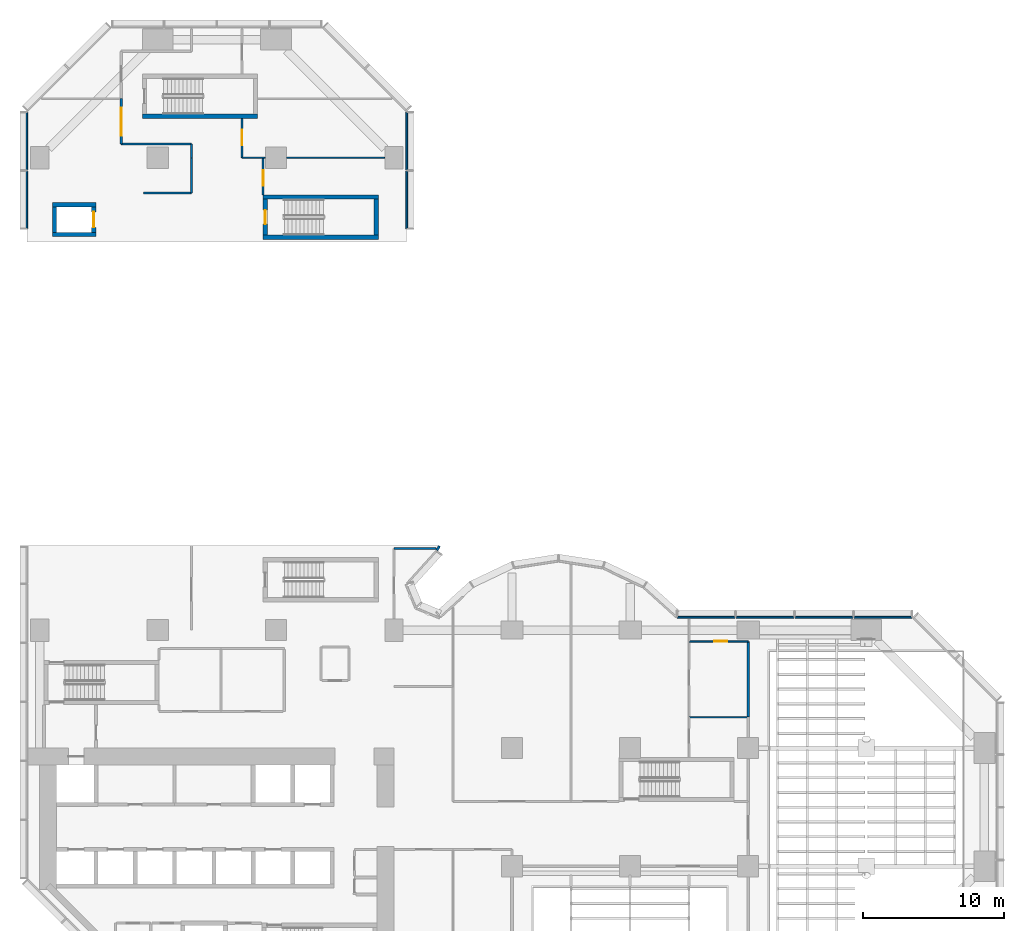
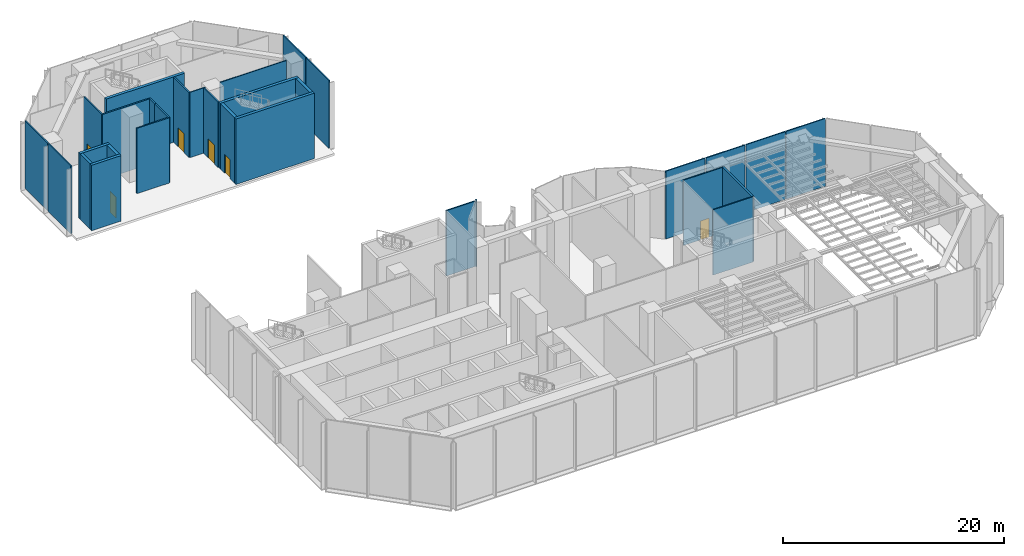
# One storey, part 15 of 22: 31 walls, 6 doors, 6 openings.
"""IFC4 building model written with IfcOpenShell, lengths in metres."""

from ifc_helpers import new_model, si_unit, direction, frame, frame_2d, origin, place, context, subcontext, project, spatial, polyline, rectangle, outline, extrude, material, layer, layer_set, type_object, element, fill, save


model = new_model("IFC4")

# Units and contexts
model_context = context("Model", 3, precision=1e-05, world=origin(), true_north=direction((0.0, 1.0)))
body_context = subcontext(model_context, "Body", "Model", "MODEL_VIEW")
ifc_project = project(units=[si_unit("LENGTHUNIT", "METRE"), si_unit("AREAUNIT", "SQUARE_METRE"), si_unit("VOLUMEUNIT", "CUBIC_METRE"), si_unit("PLANEANGLEUNIT", "RADIAN"), si_unit("MASSUNIT", "GRAM", prefix="KILO")], contexts=[model_context])

# Site, building, storey
site_placement = place(None, origin())
site = spatial("IfcSite", under=ifc_project, at=site_placement, CompositionType="ELEMENT")
building_placement = place(site_placement, origin())
building = spatial("IfcBuilding", under=site, at=building_placement, Name="Brevane Broadcast Tower", CompositionType="ELEMENT")
storey_placement = place(building_placement, frame((0.0, 0.0, 20.0)))
storey = spatial("IfcBuildingStorey", under=building, at=storey_placement, Name="L03", CompositionType="ELEMENT", Elevation=20.0)

# Walls
ifc_material_1 = material(Name="Concrete C80/95", Category="concrete")
ifc_layer_1 = layer(ifc_material_1, 0.300048828125)
ifc_layer_set_1 = layer_set([ifc_layer_1], Name="Core wall 300 mm C80/95")
wall_type_1 = type_object("IfcWallType", Name="Core wall 300 mm C80/95", PredefinedType="SHEAR", material=ifc_layer_set_1)
for number, where, z_axis, x_axis, name in (
    (1, (0.89990234375, 53.35009765625, 0.0), (0.0, 0.0, 1.0), (1.0, 0.0, 0.0), "L03 shaft wall PL1-S"),
    (2, (0.89990234375, 55.449951171875, 0.0), (0.0, 0.0, 1.0), (1.0, 0.0, 0.0), "L03 shaft wall PL1-N"),
):
    element("IfcWall", number, at=place(storey_placement, frame(where, z_axis=z_axis, x_axis=x_axis)), inside=storey, type_object=wall_type_1, Name=name, PredefinedType="SHEAR", context=body_context, shape_type="SweptSolid", body=[
        extrude(rectangle(XDim=3.10009765625, YDim=0.300048828125, at=frame_2d((1.550048828125, 0.0))), origin(), (0.0, 0.0, 1.0), 7.25),
    ])
wall_1_placement = place(storey_placement, frame((1.050048828125, 53.5, 0.0), z_axis=(0.0, 0.0, 1.0), x_axis=(0.0, 1.0, 0.0)))
element("IfcWall", 3, at=wall_1_placement, inside=storey, type_object=wall_type_1, Name="L03 shaft wall PL1-W", PredefinedType="SHEAR", context=body_context, shape_type="SweptSolid", body=[
    extrude(rectangle(XDim=1.800048828125, YDim=0.300048828125, at=frame_2d((0.89990234375, 0.0))), origin(), (0.0, 0.0, 1.0), 7.25),
])

# Wall, opening, door
wall_2_placement = place(storey_placement, frame((3.85009765625, 53.5, 0.0), z_axis=(0.0, 0.0, 1.0), x_axis=(0.0, 1.0, 0.0)))
wall_2 = element("IfcWall", 4, at=wall_2_placement, inside=storey, type_object=wall_type_1, Name="L03 shaft wall PL1-E", PredefinedType="SHEAR", context=body_context, shape_type="SweptSolid", body=[
    extrude(rectangle(XDim=1.800048828125, YDim=0.300048828125, at=frame_2d((0.89990234375, 0.0))), origin(), (0.0, 0.0, 1.0), 7.25),
])
opening_1_placement = place(wall_2_placement, frame((0.35009765625, 0.0, 0.0)))
opening_1 = element("IfcOpeningElement", 5, at=opening_1_placement, cuts=wall_2, Name="Opening LD", PredefinedType="OPENING", context=body_context, shape_type="SweptSolid", body=[
    extrude(rectangle(XDim=1.10009765625, YDim=2.300048828125, at=frame_2d((0.550048828125, 1.14990234375))), frame((0.0, 0.159912109375, 0.0), z_axis=(0.0, -1.0, 0.0), x_axis=(1.0, 0.0, 0.0)), (0.0, 0.0, 1.0), 0.320068359375),
])
ifc_material_2 = material(Name="Stainless steel", Category="steel")
door_type_1 = type_object("IfcDoorType", Name="Lift landing door", OperationType="SLIDING_TO_LEFT", PredefinedType="DOOR", material=ifc_material_2)
door_1_placement = place(opening_1_placement, origin())
door_1 = element("IfcDoor", 6, at=door_1_placement, inside=storey, type_object=door_type_1, Name="Landing door PL1 L03", OperationType="SLIDING_TO_LEFT", OverallHeight=2.300048828125, OverallWidth=1.10009765625, PredefinedType="DOOR", context=body_context, shape_type="SweptSolid", body=[
    extrude(rectangle(XDim=1.10009765625, YDim=2.300048828125, at=frame_2d((0.550048828125, 1.14990234375))), frame((0.0, 0.02490234375, 0.0), z_axis=(0.0, -1.0, 0.0), x_axis=(1.0, 0.0, 0.0)), (0.0, 0.0, 1.0), 0.050048828125),
])
fill(opening_1, door_1)

# Walls
for number, where, z_axis, x_axis, name in (
    (7, (15.89990234375, 53.14990234375, 0.0), (0.0, 0.0, 1.0), (1.0, 0.0, 0.0), "L03 stair wall ST-5-S"),
    (8, (15.89990234375, 56.0, 0.0), (0.0, 0.0, 1.0), (1.0, 0.0, 0.0), "L03 stair wall ST-5-N"),
):
    element("IfcWall", number, at=place(storey_placement, frame(where, z_axis=z_axis, x_axis=x_axis)), inside=storey, type_object=wall_type_1, Name=name, PredefinedType="SHEAR", context=body_context, shape_type="SweptSolid", body=[
        extrude(rectangle(XDim=8.2001953125, YDim=0.300048828125, at=frame_2d((4.10009765625, 0.0))), origin(), (0.0, 0.0, 1.0), 7.25),
    ])

# Wall, opening, door
wall_3_placement = place(storey_placement, frame((16.050048828125, 53.300048828125, 0.0), z_axis=(0.0, 0.0, 1.0), x_axis=(0.0, 1.0, 0.0)))
wall_3 = element("IfcWall", 9, at=wall_3_placement, inside=storey, type_object=wall_type_1, Name="L03 stair wall ST-5-W", PredefinedType="SHEAR", context=body_context, shape_type="SweptSolid", body=[
    extrude(rectangle(XDim=2.550048828125, YDim=0.300048828125, at=frame_2d((1.27490234375, 0.0))), origin(), (0.0, 0.0, 1.0), 7.25),
])
opening_2_placement = place(wall_3_placement, frame((0.77490234375, 0.0, 0.0)))
opening_2 = element("IfcOpeningElement", 10, at=opening_2_placement, cuts=wall_3, Name="Opening L03-K17", PredefinedType="OPENING", context=body_context, shape_type="SweptSolid", body=[
    extrude(rectangle(XDim=1.0, YDim=2.10009765625, at=frame_2d((0.5, 1.050048828125))), frame((0.0, 0.159912109375, 0.0), z_axis=(0.0, -1.0, 0.0), x_axis=(1.0, 0.0, 0.0)), (0.0, 0.0, 1.0), 0.320068359375),
])
ifc_material_3 = material(Name="Steel", Category="steel")
door_type_2 = type_object("IfcDoorType", Name="Stair door 1000 x 2100", OperationType="SINGLE_SWING_LEFT", PredefinedType="DOOR", material=ifc_material_3)
door_2_placement = place(opening_2_placement, origin())
door_2 = element("IfcDoor", 11, at=door_2_placement, inside=storey, type_object=door_type_2, Name="Door L03-K17", OperationType="SINGLE_SWING_RIGHT", OverallHeight=2.10009765625, OverallWidth=1.0, PredefinedType="DOOR", context=body_context, shape_type="SweptSolid", body=[
    extrude(rectangle(XDim=1.0, YDim=2.10009765625, at=frame_2d((0.5, 1.050048828125))), frame((0.0, 0.02490234375, 0.0), z_axis=(0.0, -1.0, 0.0), x_axis=(1.0, 0.0, 0.0)), (0.0, 0.0, 1.0), 0.050048828125),
])
fill(opening_2, door_2)

# Walls
wall_4_placement = place(storey_placement, frame((23.949951171875, 53.300048828125, 0.0), z_axis=(0.0, 0.0, 1.0), x_axis=(0.0, 1.0, 0.0)))
element("IfcWall", 12, at=wall_4_placement, inside=storey, type_object=wall_type_1, Name="L03 stair wall ST-5-E", PredefinedType="SHEAR", context=body_context, shape_type="SweptSolid", body=[
    extrude(rectangle(XDim=2.550048828125, YDim=0.300048828125, at=frame_2d((1.27490234375, 0.0))), origin(), (0.0, 0.0, 1.0), 7.25),
])
wall_5_placement = place(storey_placement, frame((7.300048828125, 61.75, 0.0), z_axis=(0.0, 0.0, 1.0), x_axis=(1.0, 0.0, 0.0)))
element("IfcWall", 13, at=wall_5_placement, inside=storey, type_object=wall_type_1, Name="L03 stair wall ST-6-S", PredefinedType="SHEAR", context=body_context, shape_type="SweptSolid", body=[
    extrude(rectangle(XDim=8.199951171875, YDim=0.300048828125, at=frame_2d((4.10009765625, 0.0))), origin(), (0.0, 0.0, 1.0), 7.25),
])
ifc_material_4 = material(Name="Gypsum board partition")
ifc_layer_2 = layer(ifc_material_4, 0.10009765625)
ifc_layer_set_2 = layer_set([ifc_layer_2], Name="PARTITION 100 STUD")
wall_type_2 = type_object("IfcWallType", Name="PARTITION 100 STUD", PredefinedType="PARTITIONING", material=ifc_layer_set_2)
wall_6_placement = place(storey_placement, frame((46.199951171875, 19.0, 0.0), z_axis=(0.0, 0.0, 1.0), x_axis=(1.0, 0.0, 0.0)))
element("IfcWall", 14, at=wall_6_placement, inside=storey, type_object=wall_type_2, Name="Partition P3-026", PredefinedType="PARTITIONING", context=body_context, shape_type="SweptSolid", body=[
    extrude(rectangle(XDim=4.199951171875, YDim=0.10009765625, at=frame_2d((2.10009765625, 0.0))), origin(), (0.0, 0.0, 1.0), 7.22998046875),
])

# Wall, opening, door
wall_7_placement = place(storey_placement, frame((46.199951171875, 24.39990234375, 0.0), z_axis=(0.0, 0.0, 1.0), x_axis=(1.0, 0.0, 0.0)))
wall_7 = element("IfcWall", 15, at=wall_7_placement, inside=storey, type_object=wall_type_2, Name="Partition P3-027", PredefinedType="PARTITIONING", context=body_context, shape_type="SweptSolid", body=[
    extrude(rectangle(XDim=4.199951171875, YDim=0.10009765625, at=frame_2d((2.10009765625, 0.0))), origin(), (0.0, 0.0, 1.0), 7.22998046875),
])
opening_3_placement = place(wall_7_placement, frame((1.800048828125, 0.0, 0.0)))
opening_3 = element("IfcOpeningElement", 16, at=opening_3_placement, cuts=wall_7, Name="Opening D04-010", PredefinedType="OPENING", context=body_context, shape_type="SweptSolid", body=[
    extrude(rectangle(XDim=0.89990234375, YDim=2.10009765625, at=frame_2d((0.449951171875, 1.050048828125))), frame((0.0, 0.06005859375, 0.0), z_axis=(0.0, -1.0, 0.0), x_axis=(1.0, 0.0, 0.0)), (0.0, 0.0, 1.0), 0.1201171875),
])
ifc_material_5 = material(Name="Timber door leaf", Category="wood")
door_type_3 = type_object("IfcDoorType", Name="DOOR SINGLE 900 INTERNAL", OperationType="SINGLE_SWING_LEFT", PredefinedType="DOOR", material=ifc_material_5)
door_3_placement = place(opening_3_placement, origin())
door_3 = element("IfcDoor", 17, at=door_3_placement, inside=storey, type_object=door_type_3, Name="Door D04-010", OperationType="SINGLE_SWING_LEFT", OverallHeight=2.10009765625, OverallWidth=0.89990234375, PredefinedType="DOOR", context=body_context, shape_type="SweptSolid", body=[
    extrude(rectangle(XDim=0.89990234375, YDim=2.10009765625, at=frame_2d((0.449951171875, 1.050048828125))), frame((0.0, 0.02490234375, 0.0), z_axis=(0.0, -1.0, 0.0), x_axis=(1.0, 0.0, 0.0)), (0.0, 0.0, 1.0), 0.050048828125),
])
fill(opening_3, door_3)

# Walls
wall_8_placement = place(storey_placement, frame((14.39990234375, 58.800048828125, 0.0), z_axis=(0.0, 0.0, 1.0), x_axis=(1.0, 0.0, 0.0)))
element("IfcWall", 18, at=wall_8_placement, inside=storey, type_object=wall_type_2, Name="Partition P3-040", PredefinedType="PARTITIONING", context=body_context, shape_type="SweptSolid", body=[
    extrude(rectangle(XDim=1.630126953125, YDim=0.10009765625, at=frame_2d((0.81494140625, 0.0))), origin(), (0.0, 0.0, 1.0), 7.22998046875),
])
wall_9_placement = place(storey_placement, frame((17.570068359375, 58.800048828125, 0.0), z_axis=(0.0, 0.0, 1.0), x_axis=(1.0, 0.0, 0.0)))
element("IfcWall", 19, at=wall_9_placement, inside=storey, type_object=wall_type_2, Name="Partition P3-041", PredefinedType="PARTITIONING", context=body_context, shape_type="SweptSolid", body=[
    extrude(rectangle(XDim=6.9599609375, YDim=0.10009765625, at=frame_2d((3.47998046875, 0.0))), origin(), (0.0, 0.0, 1.0), 7.22998046875),
])
ifc_layer_3 = layer(ifc_material_4, 0.14990234375)
ifc_layer_set_3 = layer_set([ifc_layer_3], Name="PARTITION 150 EI 60")
wall_type_3 = type_object("IfcWallType", Name="PARTITION 150 EI 60", PredefinedType="PARTITIONING", material=ifc_layer_set_3)
wall_10_placement = place(storey_placement, frame((25.199951171875, 31.0, 0.0), z_axis=(0.0, 0.0, 1.0), x_axis=(1.0, 0.0, 0.0)))
element("IfcWall", 20, at=wall_10_placement, inside=storey, type_object=wall_type_3, Name="Partition P3-006", PredefinedType="PARTITIONING", context=body_context, shape_type="SweptSolid", body=[
    extrude(rectangle(XDim=2.994140625, YDim=0.14990234375, at=frame_2d((1.4970703125, 0.0))), origin(), (0.0, 0.0, 1.0), 7.22998046875),
])
wall_11_placement = place(storey_placement, frame((28.432373046875, 31.168212890625, 0.0), z_axis=(0.0, 0.0, 1.0), x_axis=(-0.541288698077, -0.840836812547, 0.0)))
element("IfcWall", 21, at=wall_11_placement, inside=storey, type_object=wall_type_3, Name="Partition P3-007", PredefinedType="PARTITIONING", context=body_context, shape_type="SweptSolid", body=[
    extrude(rectangle(XDim=0.3251953125, YDim=0.14990234375, at=frame_2d((0.16259765625, 0.0))), origin(), (0.0, 0.0, 1.0), 7.22998046875),
])
wall_12_placement = place(storey_placement, frame((10.800048828125, 56.300048828125, 0.0), z_axis=(0.0, 0.0, 1.0), x_axis=(0.0, 1.0, 0.0)))
element("IfcWall", 22, at=wall_12_placement, inside=storey, type_object=wall_type_3, Name="Partition P3-029", PredefinedType="PARTITIONING", context=body_context, shape_type="SweptSolid", body=[
    extrude(rectangle(XDim=2.5, YDim=0.14990234375, at=frame_2d((1.25, 0.0))), origin(), (0.0, 0.0, 1.0), 7.22998046875),
])

# Wall, opening, door
wall_13_placement = place(storey_placement, frame((15.89990234375, 58.800048828125, 0.0), z_axis=(0.0, 0.0, 1.0), x_axis=(0.0, -1.0, 0.0)))
wall_13 = element("IfcWall", 23, at=wall_13_placement, inside=storey, type_object=wall_type_3, Name="Partition P3-030", PredefinedType="PARTITIONING", context=body_context, shape_type="SweptSolid", body=[
    extrude(rectangle(XDim=2.650146484375, YDim=0.14990234375, at=frame_2d((1.3251953125, 0.0))), origin(), (0.0, 0.0, 1.0), 7.22998046875),
])
opening_4_placement = place(wall_13_placement, frame((0.89990234375, 0.0, 0.0)))
opening_4 = element("IfcOpeningElement", 24, at=opening_4_placement, cuts=wall_13, Name="Opening D04-014", PredefinedType="OPENING", context=body_context, shape_type="SweptSolid", body=[
    extrude(rectangle(XDim=1.10009765625, YDim=2.10009765625, at=frame_2d((0.550048828125, 1.050048828125))), frame((0.0, 0.0849609375, 0.0), z_axis=(0.0, -1.0, 0.0), x_axis=(1.0, 0.0, 0.0)), (0.0, 0.0, 1.0), 0.169921875),
])
ifc_material_6 = material(Name="Fire-rated timber door leaf", Category="wood")
door_type_4 = type_object("IfcDoorType", Name="DOOR SINGLE 1100 FD30S", OperationType="SINGLE_SWING_LEFT", PredefinedType="DOOR", material=ifc_material_6)
door_4_placement = place(opening_4_placement, origin())
door_4 = element("IfcDoor", 25, at=door_4_placement, inside=storey, type_object=door_type_4, Name="Door D04-014", OperationType="SINGLE_SWING_LEFT", OverallHeight=2.10009765625, OverallWidth=1.10009765625, PredefinedType="DOOR", context=body_context, shape_type="SweptSolid", body=[
    extrude(rectangle(XDim=1.10009765625, YDim=2.10009765625, at=frame_2d((0.550048828125, 1.050048828125))), frame((0.0, 0.02490234375, 0.0), z_axis=(0.0, -1.0, 0.0), x_axis=(1.0, 0.0, 0.0)), (0.0, 0.0, 1.0), 0.050048828125),
])
fill(opening_4, door_4)

# Wall
wall_14_placement = place(storey_placement, frame((10.800048828125, 59.77490234375, 0.0), z_axis=(0.0, 0.0, 1.0), x_axis=(-1.0, 0.0, 0.0)))
element("IfcWall", 26, at=wall_14_placement, inside=storey, type_object=wall_type_3, Name="Partition P3-031", PredefinedType="PARTITIONING", context=body_context, shape_type="SweptSolid", body=[
    extrude(rectangle(XDim=5.0, YDim=0.14990234375, at=frame_2d((2.5, 0.0))), origin(), (0.0, 0.0, 1.0), 7.22998046875),
])

# Wall, opening, door
wall_15_placement = place(storey_placement, frame((5.800048828125, 59.77490234375, 0.0), z_axis=(0.0, 0.0, 1.0), x_axis=(0.0, 1.0, 0.0)))
wall_15 = element("IfcWall", 27, at=wall_15_placement, inside=storey, type_object=wall_type_3, Name="Partition P3-032", PredefinedType="PARTITIONING", context=body_context, shape_type="SweptSolid", body=[
    extrude(rectangle(XDim=3.22509765625, YDim=0.14990234375, at=frame_2d((1.612548828125, 0.0))), origin(), (0.0, 0.0, 1.0), 7.22998046875),
])
opening_5_placement = place(wall_15_placement, frame((0.60009765625, 0.0, 0.0)))
opening_5 = element("IfcOpeningElement", 28, at=opening_5_placement, cuts=wall_15, Name="Opening D04-012", PredefinedType="OPENING", context=body_context, shape_type="SweptSolid", body=[
    extrude(rectangle(XDim=2.0, YDim=2.39990234375, at=frame_2d((1.0, 1.199951171875))), frame((0.0, 0.0849609375, 0.0), z_axis=(0.0, -1.0, 0.0), x_axis=(1.0, 0.0, 0.0)), (0.0, 0.0, 1.0), 0.169921875),
])
door_type_5 = type_object("IfcDoorType", Name="DOOR DOUBLE 2000 FD30S", OperationType="DOUBLE_DOOR_SINGLE_SWING", PredefinedType="DOOR", material=ifc_material_6)
door_5_placement = place(opening_5_placement, origin())
door_5 = element("IfcDoor", 29, at=door_5_placement, inside=storey, type_object=door_type_5, Name="Door D04-012", OperationType="DOUBLE_DOOR_SINGLE_SWING", OverallHeight=2.39990234375, OverallWidth=2.0, PredefinedType="DOOR", context=body_context, shape_type="SweptSolid", body=[
    extrude(rectangle(XDim=2.0, YDim=2.39990234375, at=frame_2d((1.0, 1.199951171875))), frame((0.0, 0.02490234375, 0.0), z_axis=(0.0, -1.0, 0.0), x_axis=(1.0, 0.0, 0.0)), (0.0, 0.0, 1.0), 0.050048828125),
])
fill(opening_5, door_5)

# Walls
wall_16_placement = place(storey_placement, frame((7.39990234375, 56.300048828125, 0.0), z_axis=(0.0, 0.0, 1.0), x_axis=(1.0, 0.0, 0.0)))
element("IfcWall", 30, at=wall_16_placement, inside=storey, type_object=wall_type_3, Name="Partition P3-035", PredefinedType="PARTITIONING", context=body_context, shape_type="SweptSolid", body=[
    extrude(rectangle(XDim=3.400146484375, YDim=0.14990234375, at=frame_2d((1.7001953125, 0.0))), origin(), (0.0, 0.0, 1.0), 7.22998046875),
])
wall_17_placement = place(storey_placement, frame((10.800048828125, 59.77490234375, 0.0), z_axis=(0.0, 0.0, 1.0), x_axis=(0.0, -1.0, 0.0)))
element("IfcWall", 31, at=wall_17_placement, inside=storey, type_object=wall_type_3, Name="Partition P3-039", PredefinedType="PARTITIONING", context=body_context, shape_type="SweptSolid", body=[
    extrude(rectangle(XDim=0.974853515625, YDim=0.14990234375, at=frame_2d((0.4873046875, 0.0))), origin(), (0.0, 0.0, 1.0), 7.22998046875),
])

# Wall, opening, door
wall_18_placement = place(storey_placement, frame((14.39990234375, 61.60009765625, 0.0), z_axis=(0.0, 0.0, 1.0), x_axis=(0.0, -1.0, 0.0)))
wall_18 = element("IfcWall", 32, at=wall_18_placement, inside=storey, type_object=wall_type_3, Name="Partition P3-043", PredefinedType="PARTITIONING", context=body_context, shape_type="SweptSolid", body=[
    extrude(rectangle(XDim=2.800048828125, YDim=0.14990234375, at=frame_2d((1.39990234375, 0.0))), origin(), (0.0, 0.0, 1.0), 7.22998046875),
])
opening_6_placement = place(wall_18_placement, frame((0.800048828125, 0.0, 0.0)))
opening_6 = element("IfcOpeningElement", 33, at=opening_6_placement, cuts=wall_18, Name="Opening D04-015", PredefinedType="OPENING", context=body_context, shape_type="SweptSolid", body=[
    extrude(rectangle(XDim=1.10009765625, YDim=2.10009765625, at=frame_2d((0.550048828125, 1.050048828125))), frame((0.0, 0.0849609375, 0.0), z_axis=(0.0, -1.0, 0.0), x_axis=(1.0, 0.0, 0.0)), (0.0, 0.0, 1.0), 0.169921875),
])
door_6_placement = place(opening_6_placement, origin())
door_6 = element("IfcDoor", 34, at=door_6_placement, inside=storey, type_object=door_type_4, Name="Door D04-015", OperationType="SINGLE_SWING_RIGHT", OverallHeight=2.10009765625, OverallWidth=1.10009765625, PredefinedType="DOOR", context=body_context, shape_type="SweptSolid", body=[
    extrude(rectangle(XDim=1.10009765625, YDim=2.10009765625, at=frame_2d((0.550048828125, 1.050048828125))), frame((0.0, 0.02490234375, 0.0), z_axis=(0.0, -1.0, 0.0), x_axis=(1.0, 0.0, 0.0)), (0.0, 0.0, 1.0), 0.050048828125),
])
fill(opening_6, door_6)

# Walls
ifc_layer_4 = layer(ifc_material_4, 0.199951171875)
ifc_layer_set_4 = layer_set([ifc_layer_4], Name="PARTITION 200 EI 120")
wall_type_4 = type_object("IfcWallType", Name="PARTITION 200 EI 120", PredefinedType="PARTITIONING", material=ifc_layer_set_4)
wall_19_placement = place(storey_placement, frame((50.39990234375, 19.0, 0.0), z_axis=(0.0, 0.0, 1.0), x_axis=(0.0, 1.0, 0.0)))
element("IfcWall", 35, at=wall_19_placement, inside=storey, type_object=wall_type_4, Name="Partition P3-019", PredefinedType="PARTITIONING", context=body_context, shape_type="SweptSolid", body=[
    extrude(rectangle(XDim=5.39990234375, YDim=0.199951171875, at=frame_2d((2.699951171875, 0.0))), origin(), (0.0, 0.0, 1.0), 7.22998046875),
])
ifc_material_7 = material(Name="Precast concrete C40/50", Category="concrete")
ifc_layer_5 = layer(ifc_material_7, 0.1201171875)
ifc_layer_set_5 = layer_set([ifc_layer_5], Name="Podium precast cladding wall 120 C40/50")
wall_type_5 = type_object("IfcWallType", Name="Podium precast cladding wall 120 C40/50", PredefinedType="SOLIDWALL", material=ifc_layer_set_5)
wall_20_placement = place(storey_placement, origin())
element("IfcWall", 36, at=wall_20_placement, inside=storey, type_object=wall_type_5, Name="Podium precast cladding wall", PredefinedType="SOLIDWALL", context=body_context, shape_type="SweptSolid", body=[
    extrude(outline(polyline([(57.945068359375, 26.169921875), (57.945068359375, 26.050048828125), (62.054931640625, 26.050048828125), (62.054931640625, 26.169921875), (57.945068359375, 26.169921875)])), origin(), (0.0, 0.0, 1.0), 7.5),
])
wall_21_placement = place(storey_placement, origin())
element("IfcWall", 37, at=wall_21_placement, inside=storey, type_object=wall_type_5, Name="Podium precast cladding wall", PredefinedType="SOLIDWALL", context=body_context, shape_type="SweptSolid", body=[
    extrude(outline(polyline([(53.7451171875, 26.169921875), (53.7451171875, 26.050048828125), (57.85498046875, 26.050048828125), (57.85498046875, 26.169921875), (53.7451171875, 26.169921875)])), origin(), (0.0, 0.0, 1.0), 7.5),
])
wall_22_placement = place(storey_placement, origin())
element("IfcWall", 38, at=wall_22_placement, inside=storey, type_object=wall_type_5, Name="Podium precast cladding wall", PredefinedType="SOLIDWALL", context=body_context, shape_type="SweptSolid", body=[
    extrude(outline(polyline([(49.544921875, 26.169921875), (49.544921875, 26.050048828125), (53.655029296875, 26.050048828125), (53.655029296875, 26.169921875), (49.544921875, 26.169921875)])), origin(), (0.0, 0.0, 1.0), 7.5),
])
wall_23_placement = place(storey_placement, origin())
element("IfcWall", 39, at=wall_23_placement, inside=storey, type_object=wall_type_5, Name="Podium precast cladding wall", PredefinedType="SOLIDWALL", context=body_context, shape_type="SweptSolid", body=[
    extrude(outline(polyline([(45.344970703125, 26.169921875), (45.344970703125, 26.050048828125), (49.455078125, 26.050048828125), (49.455078125, 26.169921875), (45.344970703125, 26.169921875)])), origin(), (0.0, 0.0, 1.0), 7.5),
])
wall_24_placement = place(storey_placement, origin())
element("IfcWall", 40, at=wall_24_placement, inside=storey, type_object=wall_type_5, Name="Podium precast cladding wall", PredefinedType="SOLIDWALL", context=body_context, shape_type="SweptSolid", body=[
    extrude(outline(polyline([(26.169921875, 57.85498046875), (26.050048828125, 57.85498046875), (26.050048828125, 53.7451171875), (26.169921875, 53.7451171875), (26.169921875, 57.85498046875)])), origin(), (0.0, 0.0, 1.0), 7.5),
])
wall_25_placement = place(storey_placement, origin())
element("IfcWall", 41, at=wall_25_placement, inside=storey, type_object=wall_type_5, Name="Podium precast cladding wall", PredefinedType="SOLIDWALL", context=body_context, shape_type="SweptSolid", body=[
    extrude(outline(polyline([(26.169921875, 62.054931640625), (26.050048828125, 62.054931640625), (26.050048828125, 57.945068359375), (26.169921875, 57.945068359375), (26.169921875, 62.054931640625)])), origin(), (0.0, 0.0, 1.0), 7.5),
])
wall_26_placement = place(storey_placement, origin())
element("IfcWall", 42, at=wall_26_placement, inside=storey, type_object=wall_type_5, Name="Podium precast cladding wall", PredefinedType="SOLIDWALL", context=body_context, shape_type="SweptSolid", body=[
    extrude(outline(polyline([(-0.969970703125, 57.945068359375), (-0.85009765625, 57.945068359375), (-0.85009765625, 62.054931640625), (-0.969970703125, 62.054931640625), (-0.969970703125, 57.945068359375)])), origin(), (0.0, 0.0, 1.0), 7.5),
])
wall_27_placement = place(storey_placement, origin())
element("IfcWall", 43, at=wall_27_placement, inside=storey, type_object=wall_type_5, Name="Podium precast cladding wall", PredefinedType="SOLIDWALL", context=body_context, shape_type="SweptSolid", body=[
    extrude(outline(polyline([(-0.969970703125, 53.7451171875), (-0.85009765625, 53.7451171875), (-0.85009765625, 57.85498046875), (-0.969970703125, 57.85498046875), (-0.969970703125, 53.7451171875)])), origin(), (0.0, 0.0, 1.0), 7.5),
])

save(model, "model.ifc")
